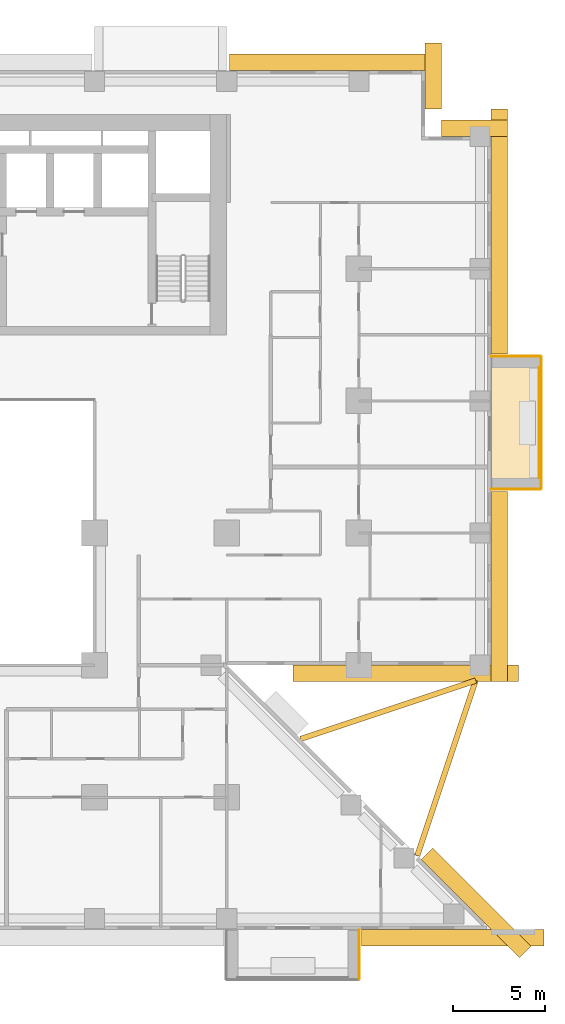
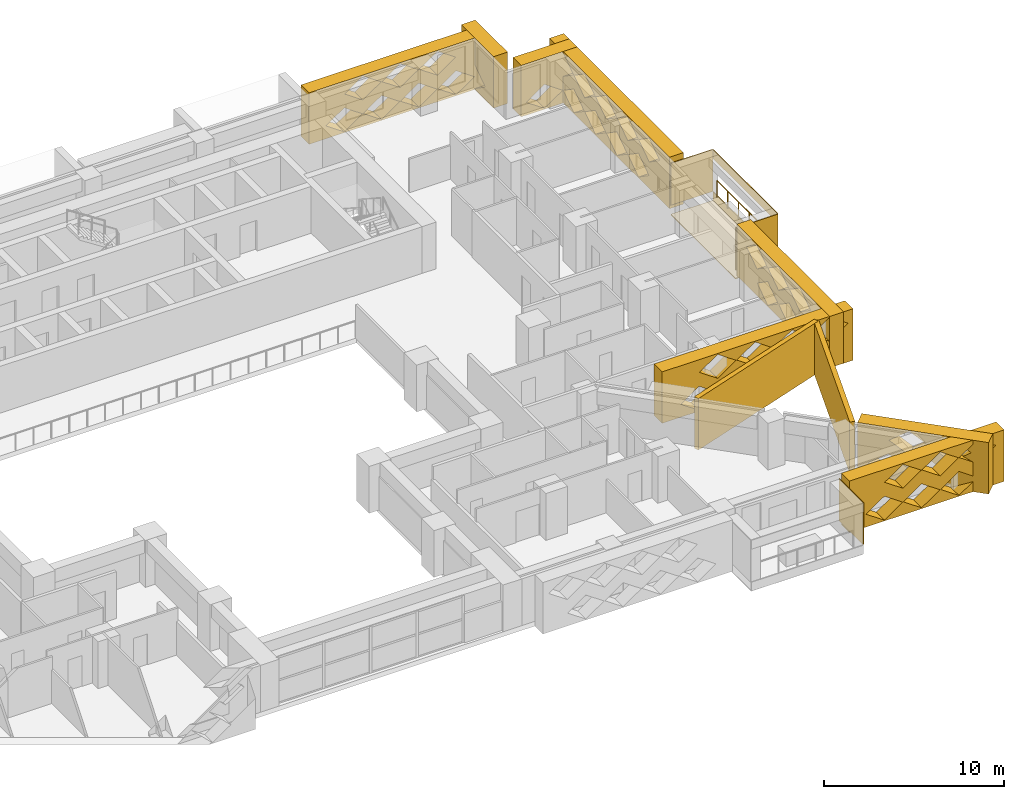
# One storey, part 17 of 17: 16 coverings, 1 railing.
"""IFC4 building model written with IfcOpenShell, lengths in metres."""

from ifc_helpers import new_model, si_unit, direction, frame, origin, origin_2d, place, context, subcontext, project, spatial, polyline, circle, outline, extrude, material, layer, layer_set, type_object, element, save


model = new_model("IFC4")

# Units and contexts
model_context = context("Model", 3, precision=1e-05, world=origin(), true_north=direction((0.0, 1.0)))
body_context = subcontext(model_context, "Body", "Model", "MODEL_VIEW")
ifc_project = project(units=[si_unit("LENGTHUNIT", "METRE"), si_unit("AREAUNIT", "SQUARE_METRE"), si_unit("VOLUMEUNIT", "CUBIC_METRE"), si_unit("PLANEANGLEUNIT", "RADIAN"), si_unit("MASSUNIT", "GRAM", prefix="KILO")], contexts=[model_context])

# Site, building, storey
site_placement = place(None, origin())
site = spatial("IfcSite", under=ifc_project, at=site_placement, CompositionType="ELEMENT")
building_placement = place(site_placement, origin())
building = spatial("IfcBuilding", under=site, at=building_placement, Name="Saffron Iwan Residences", CompositionType="ELEMENT")
storey_placement = place(building_placement, frame((0.0, 0.0, 34.0)))
storey = spatial("IfcBuildingStorey", under=building, at=storey_placement, Name="L07", CompositionType="ELEMENT", Elevation=34.0)

# Railing
ifc_material_1 = material(Name="Stainless steel 316", Category="steel")
railing_type = type_object("IfcRailingType", Name="BALCONY GUARD 1150", PredefinedType="GUARDRAIL", material=ifc_material_1)
railing_placement = place(storey_placement, frame((89.02490234375, 58.199951171875, 0.0)))
element("IfcRailing", 1, at=railing_placement, inside=storey, type_object=railing_type, Name="Balcony guard L07 F2-0", PredefinedType="GUARDRAIL", context=body_context, shape_type="SweptSolid", body=[
    extrude(circle(Radius=0.02392578125, at=origin_2d()), frame((0.0, 0.0, 1.1259765625), z_axis=(0.0, 1.0, 0.0), x_axis=(-1.0, 0.0, 0.0)), (0.0, 0.0, 1.0), 6.0),
    extrude(circle(Radius=0.02099609375, at=origin_2d()), origin(), (0.0, 0.0, 1.0), 1.101806640625),
    extrude(circle(Radius=0.02099609375, at=origin_2d()), frame((0.0, 1.199951171875, 0.0)), (0.0, 0.0, 1.0), 1.101806640625),
    extrude(circle(Radius=0.02099609375, at=origin_2d()), frame((0.0, 2.39990234375, 0.0)), (0.0, 0.0, 1.0), 1.101806640625),
    extrude(circle(Radius=0.02099609375, at=origin_2d()), frame((0.0, 3.60009765625, 0.0)), (0.0, 0.0, 1.0), 1.101806640625),
    extrude(circle(Radius=0.02099609375, at=origin_2d()), frame((0.0, 4.800048828125, 0.0)), (0.0, 0.0, 1.0), 1.101806640625),
    extrude(circle(Radius=0.02099609375, at=origin_2d()), frame((0.0, 6.0, 0.0)), (0.0, 0.0, 1.0), 1.101806640625),
])

# Coverings
ifc_material_2 = material(Name="Precast concrete C40/50 white painted", Category="concrete")
ifc_layer_1 = layer(ifc_material_2, 0.050048828125)
ifc_layer_set_1 = layer_set([ifc_layer_1], Name="Precast concrete C40/50 white painted")
covering_type_1 = type_object("IfcCoveringType", Name="FRAME SKIN PRECAST WHITE 50", PredefinedType="CLADDING", material=ifc_layer_set_1)
for number, where, name in (
    (2, (0.0, 0.0, -0.60009765625), "Frame skin slab edge L07 F2-0"),
    (3, (0.0, 0.0, 2.25), "Frame skin fascia L07 F2-0"),
):
    element("IfcCovering", number, at=place(storey_placement, frame(where)), inside=storey, type_object=covering_type_1, Name=name, PredefinedType="CLADDING", context=body_context, shape_type="SweptSolid", body=[
        extrude(outline(polyline([(89.14990234375, 57.60009765625), (89.14990234375, 64.800048828125), (89.10009765625, 64.800048828125), (89.10009765625, 57.60009765625), (89.14990234375, 57.60009765625)])), origin(), (0.0, 0.0, 1.0), 0.60009765625),
    ])
covering_1_placement = place(storey_placement, frame((0.0, 0.0, -0.64990234375)))
element("IfcCovering", 4, at=covering_1_placement, inside=storey, type_object=covering_type_1, Name="Frame skin soffit L07 F2-0", PredefinedType="CLADDING", context=body_context, shape_type="SweptSolid", body=[
    extrude(outline(polyline([(89.10009765625, 57.60009765625), (89.10009765625, 64.800048828125), (86.39990234375, 64.800048828125), (86.39990234375, 57.60009765625), (89.10009765625, 57.60009765625)])), origin(), (0.0, 0.0, 1.0), 0.0498046875),
])
covering_2_placement = place(storey_placement, origin())
element("IfcCovering", 5, at=covering_2_placement, inside=storey, type_object=covering_type_1, Name="Frame skin fin L07 F2-0a", PredefinedType="CLADDING", context=body_context, shape_type="SweptSolid", body=[
    extrude(outline(polyline([(89.10009765625, 57.550048828125), (89.10009765625, 57.60009765625), (86.39990234375, 57.60009765625), (86.39990234375, 57.550048828125), (89.10009765625, 57.550048828125)])), origin(), (0.0, 0.0, 1.0), 2.85009765625),
])
covering_3_placement = place(storey_placement, origin())
element("IfcCovering", 6, at=covering_3_placement, inside=storey, type_object=covering_type_1, Name="Frame skin fin L07 F2-0b", PredefinedType="CLADDING", context=body_context, shape_type="SweptSolid", body=[
    extrude(outline(polyline([(89.10009765625, 64.800048828125), (89.10009765625, 64.85009765625), (86.39990234375, 64.85009765625), (86.39990234375, 64.800048828125), (89.10009765625, 64.800048828125)])), origin(), (0.0, 0.0, 1.0), 2.85009765625),
])
covering_4_placement = place(storey_placement, origin())
element("IfcCovering", 7, at=covering_4_placement, inside=storey, type_object=covering_type_1, Name="Frame skin fin L07 11-1b", PredefinedType="CLADDING", context=body_context, shape_type="SweptSolid", body=[
    extrude(outline(polyline([(79.199951171875, 30.89990234375), (79.25, 30.89990234375), (79.25, 33.60009765625), (79.199951171875, 33.60009765625), (79.199951171875, 30.89990234375)])), origin(), (0.0, 0.0, 1.0), 2.85009765625),
])
ifc_material_3 = material(Name="Precast concrete C40/50", Category="concrete")
covering_type_2 = type_object("IfcCoveringType", Name="OUTER SKIN LATTICE SCREEN", PredefinedType="CLADDING", material=ifc_material_3)
covering_5_placement = place(storey_placement, frame((87.939453125, 32.060546875, -0.320068359375), z_axis=(0.706971125213, 0.70724241114, 0.0), x_axis=(-0.70724241114, 0.706971125213, 0.0)))
element("IfcCovering", 8, at=covering_5_placement, inside=storey, type_object=covering_type_2, Name="OUTER SKIN lattice screen L07 F0.0", PredefinedType="CLADDING", context=body_context, shape_type="SweptSolid", body=[
    extrude(outline(polyline([(0.0, 0.0), (7.559326171875, 0.0), (7.559326171875, 3.5), (0.0, 3.5), (0.0, 0.0)]), holes=[polyline([(2.197021484375, 0.875), (3.377197265625, 0.06005859375), (4.55712890625, 0.875), (3.377197265625, 1.68994140625), (2.197021484375, 0.875)]), polyline([(4.59716796875, 0.875), (5.777099609375, 0.06005859375), (6.95703125, 0.875), (5.777099609375, 1.68994140625), (4.59716796875, 0.875)]), polyline([(0.9970703125, 2.625), (2.177001953125, 1.81005859375), (3.357177734375, 2.625), (2.177001953125, 3.43994140625), (0.9970703125, 2.625)]), polyline([(3.397216796875, 2.625), (4.5771484375, 1.81005859375), (5.757080078125, 2.625), (4.5771484375, 3.43994140625), (3.397216796875, 2.625)])]), origin(), (0.0, 0.0, 1.0), 0.89990234375),
])
covering_6_placement = place(storey_placement, frame((75.6171875, 48.0, -0.320068359375), z_axis=(0.0, -1.0, 0.0), x_axis=(1.0, 0.0, 0.0)))
element("IfcCovering", 9, at=covering_6_placement, inside=storey, type_object=covering_type_2, Name="OUTER SKIN lattice screen L07 F1.0", PredefinedType="CLADDING", context=body_context, shape_type="SweptSolid", body=[
    extrude(outline(polyline([(0.0, 0.0), (12.282958984375, 0.0), (12.282958984375, 3.5), (0.0, 3.5), (0.0, 0.0)]), holes=[polyline([(1.202880859375, 0.875), (2.3828125, 0.06005859375), (3.56298828125, 0.875), (2.3828125, 1.68994140625), (1.202880859375, 0.875)]), polyline([(3.602783203125, 0.875), (4.782958984375, 0.06005859375), (5.962890625, 0.875), (4.782958984375, 1.68994140625), (3.602783203125, 0.875)]), polyline([(6.0029296875, 0.875), (7.182861328125, 0.06005859375), (8.36279296875, 0.875), (7.182861328125, 1.68994140625), (6.0029296875, 0.875)]), polyline([(8.40283203125, 0.875), (9.5830078125, 0.06005859375), (10.762939453125, 0.875), (9.5830078125, 1.68994140625), (8.40283203125, 0.875)]), polyline([(2.40283203125, 2.625), (3.5830078125, 1.81005859375), (4.762939453125, 2.625), (3.5830078125, 3.43994140625), (2.40283203125, 2.625)]), polyline([(4.802978515625, 2.625), (5.98291015625, 1.81005859375), (7.162841796875, 2.625), (5.98291015625, 3.43994140625), (4.802978515625, 2.625)]), polyline([(7.202880859375, 2.625), (8.3828125, 1.81005859375), (9.56298828125, 2.625), (8.3828125, 3.43994140625), (7.202880859375, 2.625)]), polyline([(9.602783203125, 2.625), (10.782958984375, 1.81005859375), (11.962890625, 2.625), (10.782958984375, 3.43994140625), (9.602783203125, 2.625)])]), origin(), (0.0, 0.0, 1.0), 0.89990234375),
])
covering_7_placement = place(storey_placement, frame((86.39990234375, 47.10009765625, -0.320068359375), z_axis=(1.0, 0.0, 0.0), x_axis=(0.0, 1.0, 0.0)))
element("IfcCovering", 10, at=covering_7_placement, inside=storey, type_object=covering_type_2, Name="OUTER SKIN lattice screen L07 F2.0", PredefinedType="CLADDING", context=body_context, shape_type="SweptSolid", body=[
    extrude(outline(polyline([(0.0, 0.0), (10.35009765625, 0.0), (10.35009765625, 3.5), (0.0, 3.5), (0.0, 0.0)]), holes=[polyline([(0.919921875, 0.875), (2.10009765625, 0.06005859375), (3.280029296875, 0.875), (2.10009765625, 1.68994140625), (0.919921875, 0.875)]), polyline([(3.320068359375, 0.875), (4.5, 0.06005859375), (5.679931640625, 0.875), (4.5, 1.68994140625), (3.320068359375, 0.875)]), polyline([(5.719970703125, 0.875), (6.89990234375, 0.06005859375), (8.080078125, 0.875), (6.89990234375, 1.68994140625), (5.719970703125, 0.875)]), polyline([(2.1201171875, 2.625), (3.300048828125, 1.81005859375), (4.47998046875, 2.625), (3.300048828125, 3.43994140625), (2.1201171875, 2.625)]), polyline([(4.52001953125, 2.625), (5.699951171875, 1.81005859375), (6.8798828125, 2.625), (5.699951171875, 3.43994140625), (4.52001953125, 2.625)]), polyline([(6.919921875, 2.625), (8.10009765625, 1.81005859375), (9.280029296875, 2.625), (8.10009765625, 3.43994140625), (6.919921875, 2.625)])]), origin(), (0.0, 0.0, 1.0), 0.900146484375),
])
covering_8_placement = place(storey_placement, frame((86.39990234375, 64.949951171875, -0.320068359375), z_axis=(1.0, 0.0, 0.0), x_axis=(0.0, 1.0, 0.0)))
element("IfcCovering", 11, at=covering_8_placement, inside=storey, type_object=covering_type_2, Name="OUTER SKIN lattice screen L07 F2.1", PredefinedType="CLADDING", context=body_context, shape_type="SweptSolid", body=[
    extrude(outline(polyline([(0.0, 0.0), (13.35009765625, 0.0), (13.35009765625, 3.5), (0.0, 3.5), (0.0, 0.0)]), holes=[polyline([(2.27001953125, 0.875), (3.449951171875, 0.06005859375), (4.6298828125, 0.875), (3.449951171875, 1.68994140625), (2.27001953125, 0.875)]), polyline([(4.669921875, 0.875), (5.85009765625, 0.06005859375), (7.030029296875, 0.875), (5.85009765625, 1.68994140625), (4.669921875, 0.875)]), polyline([(7.070068359375, 0.875), (8.25, 0.06005859375), (9.429931640625, 0.875), (8.25, 1.68994140625), (7.070068359375, 0.875)]), polyline([(9.469970703125, 0.875), (10.64990234375, 0.06005859375), (11.830078125, 0.875), (10.64990234375, 1.68994140625), (9.469970703125, 0.875)]), polyline([(1.070068359375, 2.625), (2.25, 1.81005859375), (3.429931640625, 2.625), (2.25, 3.43994140625), (1.070068359375, 2.625)]), polyline([(3.469970703125, 2.625), (4.64990234375, 1.81005859375), (5.830078125, 2.625), (4.64990234375, 3.43994140625), (3.469970703125, 2.625)]), polyline([(5.8701171875, 2.625), (7.050048828125, 1.81005859375), (8.22998046875, 2.625), (7.050048828125, 3.43994140625), (5.8701171875, 2.625)]), polyline([(8.27001953125, 2.625), (9.449951171875, 1.81005859375), (10.6298828125, 2.625), (9.449951171875, 3.43994140625), (8.27001953125, 2.625)]), polyline([(10.669921875, 2.625), (11.85009765625, 1.81005859375), (13.030029296875, 2.625), (11.85009765625, 3.43994140625), (10.669921875, 2.625)])]), origin(), (0.0, 0.0, 1.0), 0.900146484375),
])
for number, where, z_axis, x_axis, name in (
    (12, (87.300048828125, 76.800048828125, -0.320068359375), (0.0, 1.0, 0.0), (-1.0, 0.0, 0.0), "OUTER SKIN lattice screen L07 F3.0"),
    (13, (82.800048828125, 78.300048828125, -0.320068359375), (1.0, 0.0, 0.0), (0.0, 1.0, 0.0), "OUTER SKIN lattice screen L07 F4.0"),
):
    element("IfcCovering", number, at=place(storey_placement, frame(where, z_axis=z_axis, x_axis=x_axis)), inside=storey, type_object=covering_type_2, Name=name, PredefinedType="CLADDING", context=body_context, shape_type="SweptSolid", body=[
        extrude(outline(polyline([(0.0, 0.0), (3.60009765625, 0.0), (3.60009765625, 3.5), (0.0, 3.5), (0.0, 0.0)]), holes=[polyline([(0.919921875, 0.875), (2.10009765625, 0.06005859375), (3.280029296875, 0.875), (2.10009765625, 1.68994140625), (0.919921875, 0.875)])]), origin(), (0.0, 0.0, 1.0), 0.89990234375),
    ])
covering_9_placement = place(storey_placement, frame((83.699951171875, 80.39990234375, -0.320068359375), z_axis=(0.0, 1.0, 0.0), x_axis=(-1.0, 0.0, 0.0)))
element("IfcCovering", 14, at=covering_9_placement, inside=storey, type_object=covering_type_2, Name="OUTER SKIN lattice screen L07 F5.0", PredefinedType="CLADDING", context=body_context, shape_type="SweptSolid", body=[
    extrude(outline(polyline([(0.0, 0.0), (11.550048828125, 0.0), (11.550048828125, 3.5), (0.0, 3.5), (0.0, 0.0)]), holes=[polyline([(0.919921875, 0.875), (2.10009765625, 0.06005859375), (3.280029296875, 0.875), (2.10009765625, 1.68994140625), (0.919921875, 0.875)]), polyline([(3.320068359375, 0.875), (4.5, 0.06005859375), (5.679931640625, 0.875), (4.5, 1.68994140625), (3.320068359375, 0.875)]), polyline([(5.719970703125, 0.875), (6.89990234375, 0.06005859375), (8.080078125, 0.875), (6.89990234375, 1.68994140625), (5.719970703125, 0.875)]), polyline([(8.1201171875, 0.875), (9.300048828125, 0.06005859375), (10.47998046875, 0.875), (9.300048828125, 1.68994140625), (8.1201171875, 0.875)]), polyline([(2.1201171875, 2.625), (3.300048828125, 1.81005859375), (4.47998046875, 2.625), (3.300048828125, 3.43994140625), (2.1201171875, 2.625)]), polyline([(4.52001953125, 2.625), (5.699951171875, 1.81005859375), (6.8798828125, 2.625), (5.699951171875, 3.43994140625), (4.52001953125, 2.625)]), polyline([(6.919921875, 2.625), (8.10009765625, 1.81005859375), (9.280029296875, 2.625), (8.10009765625, 3.43994140625), (6.919921875, 2.625)])]), origin(), (0.0, 0.0, 1.0), 0.900146484375),
])
covering_10_placement = place(storey_placement, frame((79.35009765625, 33.60009765625, -0.320068359375), z_axis=(0.0, -1.0, 0.0), x_axis=(1.0, 0.0, 0.0)))
element("IfcCovering", 15, at=covering_10_placement, inside=storey, type_object=covering_type_2, Name="OUTER SKIN lattice screen L07 F11.3", PredefinedType="CLADDING", context=body_context, shape_type="SweptSolid", body=[
    extrude(outline(polyline([(0.0, 0.0), (9.947021484375, 0.0), (9.947021484375, 3.5), (0.0, 3.5), (0.0, 0.0)]), holes=[polyline([(1.070068359375, 0.875), (2.25, 0.06005859375), (3.429931640625, 0.875), (2.25, 1.68994140625), (1.070068359375, 0.875)]), polyline([(3.469970703125, 0.875), (4.64990234375, 0.06005859375), (5.830078125, 0.875), (4.64990234375, 1.68994140625), (3.469970703125, 0.875)]), polyline([(5.8701171875, 0.875), (7.050048828125, 0.06005859375), (8.22998046875, 0.875), (7.050048828125, 1.68994140625), (5.8701171875, 0.875)]), polyline([(2.27001953125, 2.625), (3.449951171875, 1.81005859375), (4.6298828125, 2.625), (3.449951171875, 3.43994140625), (2.27001953125, 2.625)]), polyline([(4.669921875, 2.625), (5.85009765625, 1.81005859375), (7.030029296875, 2.625), (5.85009765625, 3.43994140625), (4.669921875, 2.625)]), polyline([(7.070068359375, 2.625), (8.25, 1.81005859375), (9.429931640625, 2.625), (8.25, 3.43994140625), (7.070068359375, 2.625)])]), origin(), (0.0, 0.0, 1.0), 0.900146484375),
])
ifc_layer_2 = layer(ifc_material_2, 0.300048828125)
ifc_layer_set_2 = layer_set([ifc_layer_2], Name="Precast concrete C40/50 white painted")
covering_type_3 = type_object("IfcCoveringType", Name="PROW NOSE BLADE PRECAST WHITE", PredefinedType="CLADDING", material=ifc_layer_set_2)
covering_11_placement = place(storey_placement, frame((0.0, 0.0, -0.320068359375)))
element("IfcCovering", 16, at=covering_11_placement, inside=storey, type_object=covering_type_3, Name="Prow nose blade L07 a", PredefinedType="CLADDING", context=body_context, shape_type="SweptSolid", body=[
    extrude(outline(polyline([(82.5244140625, 37.570556640625), (85.706298828125, 47.116455078125), (85.421630859375, 47.21142578125), (82.23974609375, 37.66552734375), (82.5244140625, 37.570556640625)])), origin(), (0.0, 0.0, 1.0), 3.5),
])
covering_12_placement = place(storey_placement, frame((0.0, 0.0, -0.320068359375)))
element("IfcCovering", 17, at=covering_12_placement, inside=storey, type_object=covering_type_3, Name="Prow nose blade L07 b", PredefinedType="CLADDING", context=body_context, shape_type="SweptSolid", body=[
    extrude(outline(polyline([(76.0654296875, 43.839599609375), (85.611328125, 47.021728515625), (85.5166015625, 47.306396484375), (75.970703125, 44.124267578125), (76.0654296875, 43.839599609375)])), origin(), (0.0, 0.0, 1.0), 3.5),
])

save(model, "model.ifc")
